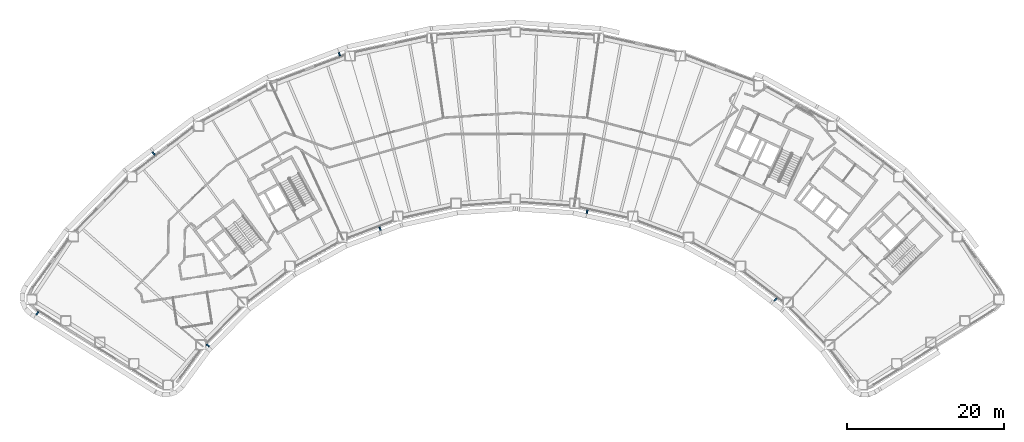
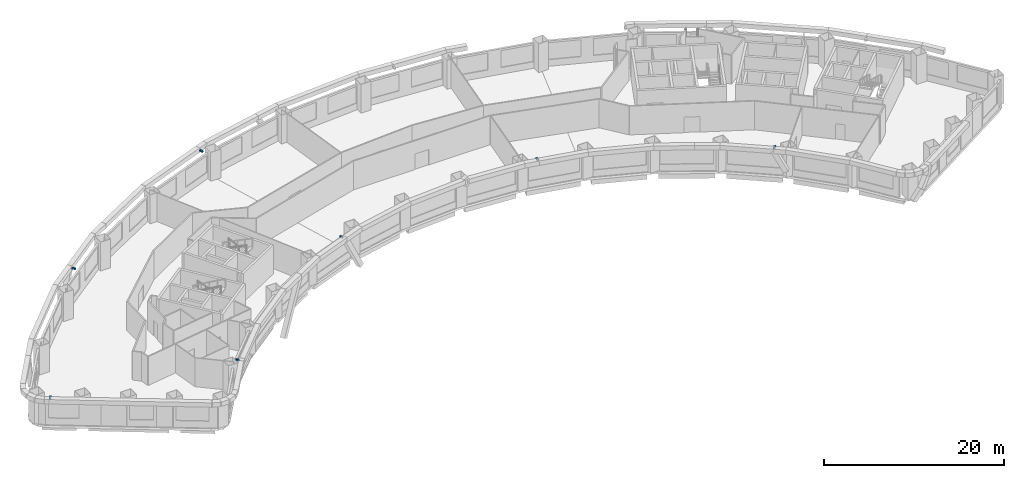
# One storey, part 10 of 14: 7 discrete accessories.
"""IFC4 building model written with IfcOpenShell, lengths in metres."""

from ifc_helpers import new_model, si_unit, direction, frame, origin, origin_2d, place, context, subcontext, project, spatial, rectangle, extrude, material, type_object, element, save


model = new_model("IFC4")

# Units and contexts
model_context = context("Model", 3, precision=1e-05, world=origin(), true_north=direction((0.0, 1.0)))
body_context = subcontext(model_context, "Body", "Model", "MODEL_VIEW")
ifc_project = project(units=[si_unit("LENGTHUNIT", "METRE"), si_unit("AREAUNIT", "SQUARE_METRE"), si_unit("VOLUMEUNIT", "CUBIC_METRE"), si_unit("PLANEANGLEUNIT", "RADIAN"), si_unit("MASSUNIT", "GRAM", prefix="KILO")], contexts=[model_context])

# Site, building, storey
site_placement = place(None, origin())
site = spatial("IfcSite", under=ifc_project, at=site_placement, CompositionType="ELEMENT")
building_placement = place(site_placement, origin())
building = spatial("IfcBuilding", under=site, at=building_placement, Name="Tuul Gate Civic Tower", CompositionType="ELEMENT")
storey_placement = place(building_placement, frame((0.0, 0.0, 44.10009765625)))
storey = spatial("IfcBuildingStorey", under=building, at=storey_placement, Name="Level 09", CompositionType="ELEMENT", Elevation=44.10009765625)

# Discrete accessories
ifc_material = material(Name="Stainless steel", Category="steel")
discrete_accessory_type = type_object("IfcDiscreteAccessoryType", Name="Screen bracket", PredefinedType="BRACKET", material=ifc_material)
discrete_accessory_1_placement = place(storey_placement, frame((-22.4287109375, 11.038818359375, 3.75), z_axis=(0.0, 0.0, 1.0), x_axis=(-0.301083628765, 0.953597739348, 0.0)))
element("IfcDiscreteAccessory", 1, at=discrete_accessory_1_placement, inside=storey, type_object=discrete_accessory_type, Name="Screen bracket 12", PredefinedType="BRACKET", context=body_context, shape_type="SweptSolid", body=[
    extrude(rectangle(XDim=0.45068359375, YDim=0.199951171875, at=origin_2d()), origin(), (0.0, 0.0, 1.0), 0.199951171875),
])
discrete_accessory_2_placement = place(storey_placement, frame((-46.115478515625, -1.62548828125, 3.75), z_axis=(0.0, 0.0, 1.0), x_axis=(-0.619911883149, 0.784671432595, 0.0)))
element("IfcDiscreteAccessory", 2, at=discrete_accessory_2_placement, inside=storey, type_object=discrete_accessory_type, Name="Screen bracket 15", PredefinedType="BRACKET", context=body_context, shape_type="SweptSolid", body=[
    extrude(rectangle(XDim=0.4501953125, YDim=0.199951171875, at=origin_2d()), origin(), (0.0, 0.0, 1.0), 0.199951171875),
])
discrete_accessory_3_placement = place(storey_placement, frame((-60.96240234375, -21.994873046875, 3.75), z_axis=(0.0, 0.0, 1.0), x_axis=(-0.609607111672, -0.792703708455, 0.0)))
element("IfcDiscreteAccessory", 3, at=discrete_accessory_3_placement, inside=storey, type_object=discrete_accessory_type, Name="Screen bracket 18", PredefinedType="BRACKET", context=body_context, shape_type="SweptSolid", body=[
    extrude(rectangle(XDim=0.4521484375, YDim=0.199951171875, at=origin_2d()), origin(), (0.0, 0.0, 1.0), 0.199951171875),
])
discrete_accessory_4_placement = place(storey_placement, frame((-39.20361328125, -26.09521484375, 3.75), z_axis=(0.0, 0.0, 1.0), x_axis=(0.756391443454, -0.654119243158, 0.0)))
element("IfcDiscreteAccessory", 4, at=discrete_accessory_4_placement, inside=storey, type_object=discrete_accessory_type, Name="Screen bracket 21", PredefinedType="BRACKET", context=body_context, shape_type="SweptSolid", body=[
    extrude(rectangle(XDim=0.450927734375, YDim=0.199951171875, at=origin_2d()), origin(), (0.0, 0.0, 1.0), 0.199951171875),
])
for number, where, z_axis, x_axis, name in (
    (5, (-17.25439453125, -11.218994140625, 3.75), (0.0, 0.0, 1.0), (0.333464631533, -0.942762610373, 0.0), "Screen bracket 24"),
    (6, (9.148681640625, -9.044189453125, 3.75), (0.0, 0.0, 1.0), (-0.176682773142, -0.984267848543, 0.0), "Screen bracket 27"),
):
    element("IfcDiscreteAccessory", number, at=place(storey_placement, frame(where, z_axis=z_axis, x_axis=x_axis)), inside=storey, type_object=discrete_accessory_type, Name=name, PredefinedType="BRACKET", context=body_context, shape_type="SweptSolid", body=[
        extrude(rectangle(XDim=0.4501953125, YDim=0.199951171875, at=origin_2d()), origin(), (0.0, 0.0, 1.0), 0.199951171875),
    ])
discrete_accessory_5_placement = place(storey_placement, frame((33.178466796875, -20.24365234375, 3.75), z_axis=(0.0, 0.0, 1.0), x_axis=(-0.640757130388, -0.767743642017, 0.0)))
element("IfcDiscreteAccessory", 7, at=discrete_accessory_5_placement, inside=storey, type_object=discrete_accessory_type, Name="Screen bracket 30", PredefinedType="BRACKET", context=body_context, shape_type="SweptSolid", body=[
    extrude(rectangle(XDim=0.450439453125, YDim=0.199951171875, at=origin_2d()), origin(), (0.0, 0.0, 1.0), 0.199951171875),
])

save(model, "model.ifc")
